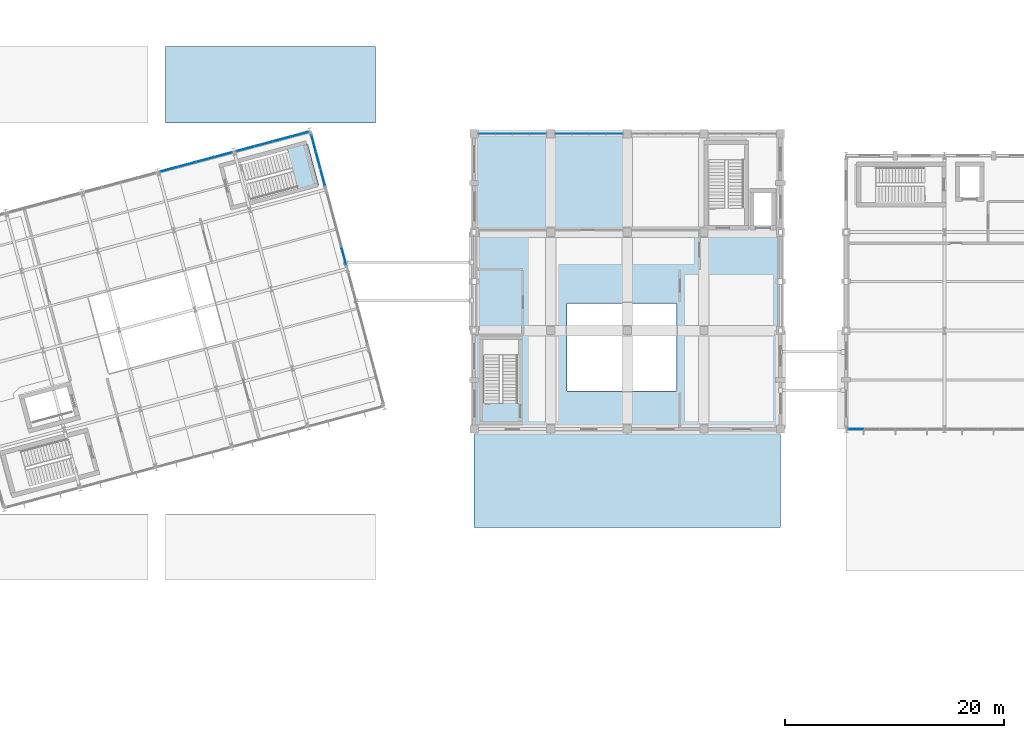
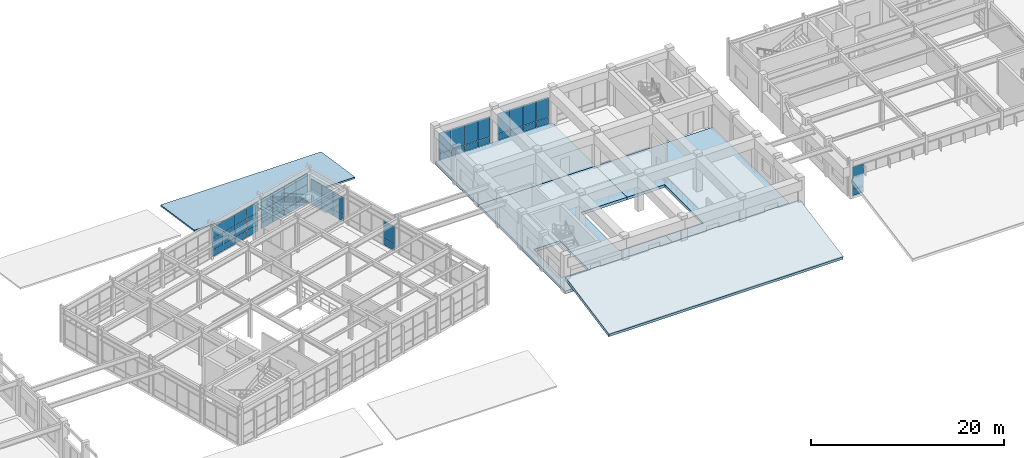
# One storey, part 76 of 104: 51 plates, 6 slabs, 8 elements without a shape of their own.
"""IFC4 building model written with IfcOpenShell, lengths in metres."""

from ifc_helpers import new_model, si_unit, direction, frame, origin, origin_2d, place, context, subcontext, project, spatial, polyline, rectangle, outline, extrude, material, layer, layer_set, type_object, element, aggregate, save


model = new_model("IFC4")

# Units and contexts
model_context = context("Model", 3, precision=1e-05, world=origin(), true_north=direction((0.0, 1.0)))
body_context = subcontext(model_context, "Body", "Model", "MODEL_VIEW")
ifc_project = project(units=[si_unit("LENGTHUNIT", "METRE"), si_unit("AREAUNIT", "SQUARE_METRE"), si_unit("VOLUMEUNIT", "CUBIC_METRE"), si_unit("PLANEANGLEUNIT", "RADIAN"), si_unit("MASSUNIT", "GRAM", prefix="KILO")], contexts=[model_context])

# Site, building, storey
site_placement = place(None, origin())
site = spatial("IfcSite", under=ifc_project, at=site_placement, CompositionType="ELEMENT")
building_placement = place(site_placement, origin())
building = spatial("IfcBuilding", under=site, at=building_placement, Name="Ventoquebrada Cableway Terminal", CompositionType="ELEMENT")
storey_placement = place(building_placement, frame((0.0, 0.0, 4.800048828125)))
storey = spatial("IfcBuildingStorey", under=building, at=storey_placement, Name="L01", CompositionType="ELEMENT", Elevation=4.800048828125)

# Curtain wall, plates
ifc_material_1 = material(Name="Anodized thermally-broken aluminium", Category="aluminium")
ifc_layer_1 = layer(ifc_material_1, 0.159912109375)
ifc_layer_set_1 = layer_set([ifc_layer_1], Name="Anodized thermally-broken aluminium")
curtain_wall_type_1 = type_object("IfcCurtainWallType", Name="CW-T27", PredefinedType="USERDEFINED", material=ifc_layer_set_1)
curtain_wall_1_placement = place(storey_placement, origin())
curtain_wall_1 = element("IfcCurtainWall", 1, at=curtain_wall_1_placement, inside=storey, type_object=curtain_wall_type_1, Name="Unitised glazed curtain wall CW-063", ObjectType="UNITISED CURTAIN WALL", PredefinedType="USERDEFINED")
ifc_material_2 = material(Name="Double low-e laminated safety glazing", Category="glass")
ifc_layer_2 = layer(ifc_material_2, 0.031982421875)
ifc_layer_set_2 = layer_set([ifc_layer_2], Name="Double low-e laminated safety glazing")
plate_type_1 = type_object("IfcPlateType", Name="CWP-GL1", PredefinedType="CURTAIN_PANEL", material=ifc_layer_set_2)
plate_1_placement = place(storey_placement, frame((99.280029296875, 104.0, 0.87451171875), z_axis=(0.0, 0.0, 1.0), x_axis=(-1.0, 0.0, 0.0)))
plate_1 = element("IfcPlate", 2, at=plate_1_placement, type_object=plate_type_1, Name="Vision glazing panel PN-0636", PredefinedType="CURTAIN_PANEL", context=body_context, shape_type="SweptSolid", body=[
    extrude(rectangle(XDim=1.510986328125, YDim=0.031982421875, at=origin_2d()), origin(), (0.0, 0.0, 1.0), 2.56103515625),
])
plate_2_placement = place(storey_placement, frame((96.177001953125, 104.0, 0.87451171875), z_axis=(0.0, 0.0, 1.0), x_axis=(-1.0, 0.0, 0.0)))
plate_2 = element("IfcPlate", 3, at=plate_2_placement, type_object=plate_type_1, Name="Vision glazing panel PN-0640", PredefinedType="CURTAIN_PANEL", context=body_context, shape_type="SweptSolid", body=[
    extrude(rectangle(XDim=1.47607421875, YDim=0.031982421875, at=origin_2d()), origin(), (0.0, 0.0, 1.0), 2.56103515625),
])

curtain_wall_2_placement = place(storey_placement, origin())
curtain_wall_2 = element("IfcCurtainWall", 4, at=curtain_wall_2_placement, inside=storey, type_object=curtain_wall_type_1, Name="Unitised glazed curtain wall CW-064", ObjectType="UNITISED CURTAIN WALL", PredefinedType="USERDEFINED")
plate_3_placement = place(storey_placement, frame((106.280029296875, 104.0, 0.87451171875), z_axis=(0.0, 0.0, 1.0), x_axis=(-1.0, 0.0, 0.0)))
plate_3 = element("IfcPlate", 5, at=plate_3_placement, type_object=plate_type_1, Name="Vision glazing panel PN-0644", PredefinedType="CURTAIN_PANEL", context=body_context, shape_type="SweptSolid", body=[
    extrude(rectangle(XDim=1.510986328125, YDim=0.031982421875, at=origin_2d()), origin(), (0.0, 0.0, 1.0), 2.56103515625),
])
plate_4_placement = place(storey_placement, frame((103.177001953125, 104.0, 0.87451171875), z_axis=(0.0, 0.0, 1.0), x_axis=(-1.0, 0.0, 0.0)))
plate_4 = element("IfcPlate", 6, at=plate_4_placement, type_object=plate_type_1, Name="Vision glazing panel PN-0648", PredefinedType="CURTAIN_PANEL", context=body_context, shape_type="SweptSolid", body=[
    extrude(rectangle(XDim=1.47607421875, YDim=0.031982421875, at=origin_2d()), origin(), (0.0, 0.0, 1.0), 2.56103515625),
])

# Curtain wall, plate
ifc_layer_3 = layer(ifc_material_1, 0.159912109375)
ifc_layer_set_3 = layer_set([ifc_layer_3], Name="Anodized thermally-broken aluminium")
curtain_wall_type_2 = type_object("IfcCurtainWallType", Name="CW-T30", PredefinedType="USERDEFINED", material=ifc_layer_set_3)
curtain_wall_3_placement = place(storey_placement, origin())
curtain_wall_3 = element("IfcCurtainWall", 7, at=curtain_wall_3_placement, inside=storey, type_object=curtain_wall_type_2, Name="Unitised glazed curtain wall CW-073", ObjectType="UNITISED CURTAIN WALL", PredefinedType="USERDEFINED")
plate_5_placement = place(storey_placement, frame((129.908935546875, 77.0, 2.3232421875), z_axis=(0.0, 0.0, 1.0), x_axis=(1.0, 0.0, 0.0)))
plate_5 = element("IfcPlate", 8, at=plate_5_placement, type_object=plate_type_1, Name="Vision glazing panel PN-0711", PredefinedType="CURTAIN_PANEL", context=body_context, shape_type="SweptSolid", body=[
    extrude(rectangle(XDim=1.360107421875, YDim=0.031982421875, at=origin_2d()), origin(), (0.0, 0.0, 1.0), 1.324951171875),
])

# Curtain wall, plates
ifc_layer_4 = layer(ifc_material_1, 0.159912109375)
ifc_layer_set_4 = layer_set([ifc_layer_4], Name="Anodized thermally-broken aluminium")
curtain_wall_type_3 = type_object("IfcCurtainWallType", Name="CW-T37", PredefinedType="USERDEFINED", material=ifc_layer_set_4)
curtain_wall_4_placement = place(storey_placement, origin())
curtain_wall_4 = element("IfcCurtainWall", 9, at=curtain_wall_4_placement, inside=storey, type_object=curtain_wall_type_3, Name="Unitised glazed curtain wall CW-091", ObjectType="UNITISED CURTAIN WALL", PredefinedType="USERDEFINED")
plate_6_placement = place(storey_placement, frame((72.05908203125, 102.08203125, 2.369384765625), z_axis=(0.0, 0.0, 1.0), x_axis=(-0.965961954829, -0.258684173892, 0.0)))
plate_6 = element("IfcPlate", 10, at=plate_6_placement, type_object=plate_type_1, Name="Vision glazing panel PN-0969", PredefinedType="CURTAIN_PANEL", context=body_context, shape_type="SweptSolid", body=[
    extrude(rectangle(XDim=1.631103515625, YDim=0.031982421875, at=origin_2d()), origin(), (0.0, 0.0, 1.0), 1.35302734375),
])
plate_7_placement = place(storey_placement, frame((70.41796875, 101.64208984375, 0.8740234375), z_axis=(0.0, 0.0, 1.0), x_axis=(-0.965961954829, -0.258684173892, 0.0)))
plate_7 = element("IfcPlate", 11, at=plate_7_placement, type_object=plate_type_1, Name="Vision glazing panel PN-0971", PredefinedType="CURTAIN_PANEL", context=body_context, shape_type="SweptSolid", body=[
    extrude(rectangle(XDim=1.666015625, YDim=0.031982421875, at=origin_2d()), origin(), (0.0, 0.0, 1.0), 1.446044921875),
])
plate_8_placement = place(storey_placement, frame((68.760986328125, 101.197998046875, 2.369384765625), z_axis=(0.0, 0.0, 1.0), x_axis=(-0.965961954829, -0.258684173892, 0.0)))
plate_8 = element("IfcPlate", 12, at=plate_8_placement, type_object=plate_type_1, Name="Vision glazing panel PN-0975", PredefinedType="CURTAIN_PANEL", context=body_context, shape_type="SweptSolid", body=[
    extrude(rectangle(XDim=1.666015625, YDim=0.031982421875, at=origin_2d()), origin(), (0.0, 0.0, 1.0), 1.35302734375),
])
plate_9_placement = place(storey_placement, frame((67.12109375, 100.760009765625, 0.8740234375), z_axis=(0.0, 0.0, 1.0), x_axis=(-0.965961954829, -0.258684173892, 0.0)))
plate_9 = element("IfcPlate", 13, at=plate_9_placement, type_object=plate_type_1, Name="Vision glazing panel PN-0977", PredefinedType="CURTAIN_PANEL", context=body_context, shape_type="SweptSolid", body=[
    extrude(rectangle(XDim=1.631103515625, YDim=0.031982421875, at=origin_2d()), origin(), (0.0, 0.0, 1.0), 1.446044921875),
])

ifc_layer_5 = layer(ifc_material_1, 0.159912109375)
ifc_layer_set_5 = layer_set([ifc_layer_5], Name="Anodized thermally-broken aluminium")
curtain_wall_type_4 = type_object("IfcCurtainWallType", Name="CW-T36", PredefinedType="USERDEFINED", material=ifc_layer_set_5)
curtain_wall_5_placement = place(storey_placement, origin())
curtain_wall_5 = element("IfcCurtainWall", 14, at=curtain_wall_5_placement, inside=storey, type_object=curtain_wall_type_4, Name="Unitised glazed curtain wall CW-092", ObjectType="UNITISED CURTAIN WALL", PredefinedType="USERDEFINED")
plate_10_placement = place(storey_placement, frame((79.012939453125, 103.946044921875, 2.369384765625), z_axis=(0.0, 0.0, 1.0), x_axis=(-0.96593486019, -0.258785327773, 0.0)))
plate_10 = element("IfcPlate", 15, at=plate_10_placement, type_object=plate_type_1, Name="Vision glazing panel PN-0981", PredefinedType="CURTAIN_PANEL", context=body_context, shape_type="SweptSolid", body=[
    extrude(rectangle(XDim=1.632080078125, YDim=0.031982421875, at=origin_2d()), origin(), (0.0, 0.0, 1.0), 1.35302734375),
])
plate_11_placement = place(storey_placement, frame((77.373046875, 103.506103515625, 0.8740234375), z_axis=(0.0, 0.0, 1.0), x_axis=(-0.96593486019, -0.258785327773, 0.0)))
plate_11 = element("IfcPlate", 16, at=plate_11_placement, type_object=plate_type_1, Name="Vision glazing panel PN-0983", PredefinedType="CURTAIN_PANEL", context=body_context, shape_type="SweptSolid", body=[
    extrude(rectangle(XDim=1.6669921875, YDim=0.031982421875, at=origin_2d()), origin(), (0.0, 0.0, 1.0), 1.446044921875),
])
plate_12_placement = place(storey_placement, frame((75.716064453125, 103.06201171875, 2.369384765625), z_axis=(0.0, 0.0, 1.0), x_axis=(-0.96593486019, -0.258785327773, 0.0)))
plate_12 = element("IfcPlate", 17, at=plate_12_placement, type_object=plate_type_1, Name="Vision glazing panel PN-0987", PredefinedType="CURTAIN_PANEL", context=body_context, shape_type="SweptSolid", body=[
    extrude(rectangle(XDim=1.6669921875, YDim=0.031982421875, at=origin_2d()), origin(), (0.0, 0.0, 1.0), 1.35302734375),
])
plate_13_placement = place(storey_placement, frame((74.075927734375, 102.623046875, 0.8740234375), z_axis=(0.0, 0.0, 1.0), x_axis=(-0.96593486019, -0.258785327773, 0.0)))
plate_13 = element("IfcPlate", 18, at=plate_13_placement, type_object=plate_type_1, Name="Vision glazing panel PN-0989", PredefinedType="CURTAIN_PANEL", context=body_context, shape_type="SweptSolid", body=[
    extrude(rectangle(XDim=1.632080078125, YDim=0.031982421875, at=origin_2d()), origin(), (0.0, 0.0, 1.0), 1.446044921875),
])

# Curtain wall, plate
ifc_layer_6 = layer(ifc_material_1, 0.159912109375)
ifc_layer_set_6 = layer_set([ifc_layer_6], Name="Anodized thermally-broken aluminium")
curtain_wall_type_5 = type_object("IfcCurtainWallType", Name="CW-T38", PredefinedType="USERDEFINED", material=ifc_layer_set_6)
curtain_wall_6_placement = place(storey_placement, origin())
curtain_wall_6 = element("IfcCurtainWall", 19, at=curtain_wall_6_placement, inside=storey, type_object=curtain_wall_type_5, Name="Unitised glazed curtain wall CW-100", ObjectType="UNITISED CURTAIN WALL", PredefinedType="USERDEFINED")
plate_14_placement = place(storey_placement, frame((80.73388671875, 101.55908203125, 0.8740234375), z_axis=(0.0, 0.0, 1.0), x_axis=(-0.258785327773, 0.96593486019, 0.0)))
plate_14 = element("IfcPlate", 20, at=plate_14_placement, type_object=plate_type_1, Name="Vision glazing panel PN-1044", PredefinedType="CURTAIN_PANEL", context=body_context, shape_type="SweptSolid", body=[
    extrude(rectangle(XDim=1.573974609375, YDim=0.031982421875, at=origin_2d()), origin(), (0.0, 0.0, 1.0), 2.22607421875),
])

# Plate
ifc_layer_7 = layer(ifc_material_2, 0.0380859375)
ifc_layer_set_7 = layer_set([ifc_layer_7], Name="Double low-e laminated safety glazing")
plate_type_2 = type_object("IfcPlateType", Name="CWP-GL2", PredefinedType="CURTAIN_PANEL", material=ifc_layer_set_7)
plate_15_placement = place(storey_placement, frame((100.822998046875, 104.0, 0.87451171875), z_axis=(0.0, 0.0, 1.0), x_axis=(-1.0, 0.0, 0.0)))
plate_15 = element("IfcPlate", 21, at=plate_15_placement, type_object=plate_type_2, Name="Vision glazing panel PN-0634", PredefinedType="CURTAIN_PANEL", context=body_context, shape_type="SweptSolid", body=[
    extrude(rectangle(XDim=1.47607421875, YDim=0.0380859375, at=origin_2d()), origin(), (0.0, 0.0, 1.0), 2.56103515625),
])

plate_16_placement = place(storey_placement, frame((97.719970703125, 104.0, 0.87451171875), z_axis=(0.0, 0.0, 1.0), x_axis=(-1.0, 0.0, 0.0)))
plate_16 = element("IfcPlate", 22, at=plate_16_placement, type_object=plate_type_2, Name="Vision glazing panel PN-0638", PredefinedType="CURTAIN_PANEL", context=body_context, shape_type="SweptSolid", body=[
    extrude(rectangle(XDim=1.510986328125, YDim=0.0380859375, at=origin_2d()), origin(), (0.0, 0.0, 1.0), 2.56103515625),
])

plate_17_placement = place(storey_placement, frame((107.822998046875, 104.0, 0.87451171875), z_axis=(0.0, 0.0, 1.0), x_axis=(-1.0, 0.0, 0.0)))
plate_17 = element("IfcPlate", 23, at=plate_17_placement, type_object=plate_type_2, Name="Vision glazing panel PN-0642", PredefinedType="CURTAIN_PANEL", context=body_context, shape_type="SweptSolid", body=[
    extrude(rectangle(XDim=1.47607421875, YDim=0.0380859375, at=origin_2d()), origin(), (0.0, 0.0, 1.0), 2.56103515625),
])

plate_18_placement = place(storey_placement, frame((104.719970703125, 104.0, 0.87451171875), z_axis=(0.0, 0.0, 1.0), x_axis=(-1.0, 0.0, 0.0)))
plate_18 = element("IfcPlate", 24, at=plate_18_placement, type_object=plate_type_2, Name="Vision glazing panel PN-0646", PredefinedType="CURTAIN_PANEL", context=body_context, shape_type="SweptSolid", body=[
    extrude(rectangle(XDim=1.510986328125, YDim=0.0380859375, at=origin_2d()), origin(), (0.0, 0.0, 1.0), 2.56103515625),
])

plate_19_placement = place(storey_placement, frame((129.908935546875, 77.0, 0.875), z_axis=(0.0, 0.0, 1.0), x_axis=(1.0, 0.0, 0.0)))
plate_19 = element("IfcPlate", 25, at=plate_19_placement, type_object=plate_type_2, Name="Vision glazing panel PN-0710", PredefinedType="CURTAIN_PANEL", context=body_context, shape_type="SweptSolid", body=[
    extrude(rectangle(XDim=1.360107421875, YDim=0.0380859375, at=origin_2d()), origin(), (0.0, 0.0, 1.0), 1.39990234375),
])

plate_20_placement = place(storey_placement, frame((72.05908203125, 102.08203125, 0.8740234375), z_axis=(0.0, 0.0, 1.0), x_axis=(-0.965961954829, -0.258684173892, 0.0)))
plate_20 = element("IfcPlate", 26, at=plate_20_placement, type_object=plate_type_2, Name="Vision glazing panel PN-0968", PredefinedType="CURTAIN_PANEL", context=body_context, shape_type="SweptSolid", body=[
    extrude(rectangle(XDim=1.631103515625, YDim=0.0380859375, at=origin_2d()), origin(), (0.0, 0.0, 1.0), 1.446044921875),
])

plate_21_placement = place(storey_placement, frame((70.41796875, 101.64208984375, 2.369384765625), z_axis=(0.0, 0.0, 1.0), x_axis=(-0.965961954829, -0.258684173892, 0.0)))
plate_21 = element("IfcPlate", 27, at=plate_21_placement, type_object=plate_type_2, Name="Vision glazing panel PN-0972", PredefinedType="CURTAIN_PANEL", context=body_context, shape_type="SweptSolid", body=[
    extrude(rectangle(XDim=1.666015625, YDim=0.0380859375, at=origin_2d()), origin(), (0.0, 0.0, 1.0), 1.35302734375),
])

plate_22_placement = place(storey_placement, frame((68.760986328125, 101.197998046875, 0.8740234375), z_axis=(0.0, 0.0, 1.0), x_axis=(-0.965961954829, -0.258684173892, 0.0)))
plate_22 = element("IfcPlate", 28, at=plate_22_placement, type_object=plate_type_2, Name="Vision glazing panel PN-0974", PredefinedType="CURTAIN_PANEL", context=body_context, shape_type="SweptSolid", body=[
    extrude(rectangle(XDim=1.666015625, YDim=0.0380859375, at=origin_2d()), origin(), (0.0, 0.0, 1.0), 1.446044921875),
])

plate_23_placement = place(storey_placement, frame((67.12109375, 100.760009765625, 2.369384765625), z_axis=(0.0, 0.0, 1.0), x_axis=(-0.965961954829, -0.258684173892, 0.0)))
plate_23 = element("IfcPlate", 29, at=plate_23_placement, type_object=plate_type_2, Name="Vision glazing panel PN-0978", PredefinedType="CURTAIN_PANEL", context=body_context, shape_type="SweptSolid", body=[
    extrude(rectangle(XDim=1.631103515625, YDim=0.0380859375, at=origin_2d()), origin(), (0.0, 0.0, 1.0), 1.35302734375),
])

plate_24_placement = place(storey_placement, frame((79.012939453125, 103.946044921875, 0.8740234375), z_axis=(0.0, 0.0, 1.0), x_axis=(-0.96593486019, -0.258785327773, 0.0)))
plate_24 = element("IfcPlate", 30, at=plate_24_placement, type_object=plate_type_2, Name="Vision glazing panel PN-0980", PredefinedType="CURTAIN_PANEL", context=body_context, shape_type="SweptSolid", body=[
    extrude(rectangle(XDim=1.632080078125, YDim=0.0380859375, at=origin_2d()), origin(), (0.0, 0.0, 1.0), 1.446044921875),
])

plate_25_placement = place(storey_placement, frame((77.373046875, 103.506103515625, 2.369384765625), z_axis=(0.0, 0.0, 1.0), x_axis=(-0.96593486019, -0.258785327773, 0.0)))
plate_25 = element("IfcPlate", 31, at=plate_25_placement, type_object=plate_type_2, Name="Vision glazing panel PN-0984", PredefinedType="CURTAIN_PANEL", context=body_context, shape_type="SweptSolid", body=[
    extrude(rectangle(XDim=1.6669921875, YDim=0.0380859375, at=origin_2d()), origin(), (0.0, 0.0, 1.0), 1.35302734375),
])

plate_26_placement = place(storey_placement, frame((75.716064453125, 103.06201171875, 0.8740234375), z_axis=(0.0, 0.0, 1.0), x_axis=(-0.96593486019, -0.258785327773, 0.0)))
plate_26 = element("IfcPlate", 32, at=plate_26_placement, type_object=plate_type_2, Name="Vision glazing panel PN-0986", PredefinedType="CURTAIN_PANEL", context=body_context, shape_type="SweptSolid", body=[
    extrude(rectangle(XDim=1.6669921875, YDim=0.0380859375, at=origin_2d()), origin(), (0.0, 0.0, 1.0), 1.446044921875),
])

plate_27_placement = place(storey_placement, frame((74.075927734375, 102.623046875, 2.369384765625), z_axis=(0.0, 0.0, 1.0), x_axis=(-0.96593486019, -0.258785327773, 0.0)))
plate_27 = element("IfcPlate", 33, at=plate_27_placement, type_object=plate_type_2, Name="Vision glazing panel PN-0990", PredefinedType="CURTAIN_PANEL", context=body_context, shape_type="SweptSolid", body=[
    extrude(rectangle(XDim=1.632080078125, YDim=0.0380859375, at=origin_2d()), origin(), (0.0, 0.0, 1.0), 1.35302734375),
])

# Curtain wall, plate
ifc_layer_8 = layer(ifc_material_1, 0.159912109375)
ifc_layer_set_8 = layer_set([ifc_layer_8], Name="Anodized thermally-broken aluminium")
curtain_wall_type_6 = type_object("IfcCurtainWallType", Name="CW-T39", PredefinedType="USERDEFINED", material=ifc_layer_set_8)
curtain_wall_7_placement = place(storey_placement, origin())
curtain_wall_7 = element("IfcCurtainWall", 34, at=curtain_wall_7_placement, inside=storey, type_object=curtain_wall_type_6, Name="Unitised glazed curtain wall CW-099", ObjectType="UNITISED CURTAIN WALL", PredefinedType="USERDEFINED")
plate_28_placement = place(storey_placement, frame((83.077880859375, 92.81005859375, 0.8740234375), z_axis=(0.0, 0.0, 1.0), x_axis=(-0.258734751187, 0.965948408834, 0.0)))
plate_28 = element("IfcPlate", 35, at=plate_28_placement, type_object=plate_type_2, Name="Vision glazing panel PN-1034", PredefinedType="CURTAIN_PANEL", context=body_context, shape_type="SweptSolid", body=[
    extrude(rectangle(XDim=1.633056640625, YDim=0.0380859375, at=origin_2d()), origin(), (0.0, 0.0, 1.0), 2.22607421875),
])

# Plate
plate_29_placement = place(storey_placement, frame((81.14892578125, 100.008056640625, 0.8740234375), z_axis=(0.0, 0.0, 1.0), x_axis=(-0.258785327773, 0.96593486019, 0.0)))
plate_29 = element("IfcPlate", 36, at=plate_29_placement, type_object=plate_type_2, Name="Vision glazing panel PN-1042", PredefinedType="CURTAIN_PANEL", context=body_context, shape_type="SweptSolid", body=[
    extrude(rectangle(XDim=1.5390625, YDim=0.0380859375, at=origin_2d()), origin(), (0.0, 0.0, 1.0), 2.22607421875),
])

plate_30_placement = place(storey_placement, frame((80.319091796875, 103.111083984375, 0.8740234375), z_axis=(0.0, 0.0, 1.0), x_axis=(-0.258785327773, 0.96593486019, 0.0)))
plate_30 = element("IfcPlate", 37, at=plate_30_placement, type_object=plate_type_2, Name="Vision glazing panel PN-1046", PredefinedType="CURTAIN_PANEL", context=body_context, shape_type="SweptSolid", body=[
    extrude(rectangle(XDim=1.5390625, YDim=0.0380859375, at=origin_2d()), origin(), (0.0, 0.0, 1.0), 2.22607421875),
])

ifc_material_3 = material(Name="Insulated aluminium spandrel cassette", Category="aluminium")
ifc_layer_9 = layer(ifc_material_3, 0.044921875)
ifc_layer_set_9 = layer_set([ifc_layer_9], Name="Insulated aluminium spandrel cassette")
plate_type_3 = type_object("IfcPlateType", Name="CWP-SP1", PredefinedType="CURTAIN_PANEL", material=ifc_layer_set_9)
plate_31_placement = place(storey_placement, frame((100.822998046875, 104.0, 0.058837890625), z_axis=(0.0, 0.0, 1.0), x_axis=(-1.0, 0.0, 0.0)))
plate_31 = element("IfcPlate", 38, at=plate_31_placement, type_object=plate_type_3, Name="Insulated spandrel panel PN-0633", PredefinedType="CURTAIN_PANEL", context=body_context, shape_type="SweptSolid", body=[
    extrude(rectangle(XDim=1.47607421875, YDim=0.044921875, at=origin_2d()), origin(), (0.0, 0.0, 1.0), 0.76611328125),
])

plate_32_placement = place(storey_placement, frame((99.280029296875, 104.0, 0.058837890625), z_axis=(0.0, 0.0, 1.0), x_axis=(-1.0, 0.0, 0.0)))
plate_32 = element("IfcPlate", 39, at=plate_32_placement, type_object=plate_type_3, Name="Insulated spandrel panel PN-0635", PredefinedType="CURTAIN_PANEL", context=body_context, shape_type="SweptSolid", body=[
    extrude(rectangle(XDim=1.510986328125, YDim=0.044921875, at=origin_2d()), origin(), (0.0, 0.0, 1.0), 0.76611328125),
])

plate_33_placement = place(storey_placement, frame((97.719970703125, 104.0, 0.058837890625), z_axis=(0.0, 0.0, 1.0), x_axis=(-1.0, 0.0, 0.0)))
plate_33 = element("IfcPlate", 40, at=plate_33_placement, type_object=plate_type_3, Name="Insulated spandrel panel PN-0637", PredefinedType="CURTAIN_PANEL", context=body_context, shape_type="SweptSolid", body=[
    extrude(rectangle(XDim=1.510986328125, YDim=0.044921875, at=origin_2d()), origin(), (0.0, 0.0, 1.0), 0.76611328125),
])

plate_34_placement = place(storey_placement, frame((96.177001953125, 104.0, 0.058837890625), z_axis=(0.0, 0.0, 1.0), x_axis=(-1.0, 0.0, 0.0)))
plate_34 = element("IfcPlate", 41, at=plate_34_placement, type_object=plate_type_3, Name="Insulated spandrel panel PN-0639", PredefinedType="CURTAIN_PANEL", context=body_context, shape_type="SweptSolid", body=[
    extrude(rectangle(XDim=1.47607421875, YDim=0.044921875, at=origin_2d()), origin(), (0.0, 0.0, 1.0), 0.76611328125),
])

aggregate(curtain_wall_1, [plate_31, plate_15, plate_32, plate_1, plate_33, plate_16, plate_34, plate_2])

plate_35_placement = place(storey_placement, frame((107.822998046875, 104.0, 0.058837890625), z_axis=(0.0, 0.0, 1.0), x_axis=(-1.0, 0.0, 0.0)))
plate_35 = element("IfcPlate", 42, at=plate_35_placement, type_object=plate_type_3, Name="Insulated spandrel panel PN-0641", PredefinedType="CURTAIN_PANEL", context=body_context, shape_type="SweptSolid", body=[
    extrude(rectangle(XDim=1.47607421875, YDim=0.044921875, at=origin_2d()), origin(), (0.0, 0.0, 1.0), 0.76611328125),
])

plate_36_placement = place(storey_placement, frame((106.280029296875, 104.0, 0.058837890625), z_axis=(0.0, 0.0, 1.0), x_axis=(-1.0, 0.0, 0.0)))
plate_36 = element("IfcPlate", 43, at=plate_36_placement, type_object=plate_type_3, Name="Insulated spandrel panel PN-0643", PredefinedType="CURTAIN_PANEL", context=body_context, shape_type="SweptSolid", body=[
    extrude(rectangle(XDim=1.510986328125, YDim=0.044921875, at=origin_2d()), origin(), (0.0, 0.0, 1.0), 0.76611328125),
])

plate_37_placement = place(storey_placement, frame((104.719970703125, 104.0, 0.058837890625), z_axis=(0.0, 0.0, 1.0), x_axis=(-1.0, 0.0, 0.0)))
plate_37 = element("IfcPlate", 44, at=plate_37_placement, type_object=plate_type_3, Name="Insulated spandrel panel PN-0645", PredefinedType="CURTAIN_PANEL", context=body_context, shape_type="SweptSolid", body=[
    extrude(rectangle(XDim=1.510986328125, YDim=0.044921875, at=origin_2d()), origin(), (0.0, 0.0, 1.0), 0.76611328125),
])

plate_38_placement = place(storey_placement, frame((103.177001953125, 104.0, 0.058837890625), z_axis=(0.0, 0.0, 1.0), x_axis=(-1.0, 0.0, 0.0)))
plate_38 = element("IfcPlate", 45, at=plate_38_placement, type_object=plate_type_3, Name="Insulated spandrel panel PN-0647", PredefinedType="CURTAIN_PANEL", context=body_context, shape_type="SweptSolid", body=[
    extrude(rectangle(XDim=1.47607421875, YDim=0.044921875, at=origin_2d()), origin(), (0.0, 0.0, 1.0), 0.76611328125),
])

aggregate(curtain_wall_2, [plate_35, plate_17, plate_36, plate_3, plate_37, plate_18, plate_38, plate_4])

plate_39_placement = place(storey_placement, frame((129.908935546875, 77.0, 0.058837890625), z_axis=(0.0, 0.0, 1.0), x_axis=(1.0, 0.0, 0.0)))
plate_39 = element("IfcPlate", 46, at=plate_39_placement, type_object=plate_type_3, Name="Insulated spandrel panel PN-0709", PredefinedType="CURTAIN_PANEL", context=body_context, shape_type="SweptSolid", body=[
    extrude(rectangle(XDim=1.360107421875, YDim=0.044921875, at=origin_2d()), origin(), (0.0, 0.0, 1.0), 0.76611328125),
])

aggregate(curtain_wall_3, [plate_39, plate_19, plate_5])

plate_40_placement = place(storey_placement, frame((72.05908203125, 102.08203125, 0.058837890625), z_axis=(0.0, 0.0, 1.0), x_axis=(-0.965961954829, -0.258684173892, 0.0)))
plate_40 = element("IfcPlate", 47, at=plate_40_placement, type_object=plate_type_3, Name="Insulated spandrel panel PN-0967", PredefinedType="CURTAIN_PANEL", context=body_context, shape_type="SweptSolid", body=[
    extrude(rectangle(XDim=1.631103515625, YDim=0.044921875, at=origin_2d()), origin(), (0.0, 0.0, 1.0), 0.76611328125),
])

plate_41_placement = place(storey_placement, frame((70.41796875, 101.64208984375, 0.058837890625), z_axis=(0.0, 0.0, 1.0), x_axis=(-0.965961954829, -0.258684173892, 0.0)))
plate_41 = element("IfcPlate", 48, at=plate_41_placement, type_object=plate_type_3, Name="Insulated spandrel panel PN-0970", PredefinedType="CURTAIN_PANEL", context=body_context, shape_type="SweptSolid", body=[
    extrude(rectangle(XDim=1.666015625, YDim=0.044921875, at=origin_2d()), origin(), (0.0, 0.0, 1.0), 0.76611328125),
])

plate_42_placement = place(storey_placement, frame((68.760986328125, 101.197998046875, 0.058837890625), z_axis=(0.0, 0.0, 1.0), x_axis=(-0.965961954829, -0.258684173892, 0.0)))
plate_42 = element("IfcPlate", 49, at=plate_42_placement, type_object=plate_type_3, Name="Insulated spandrel panel PN-0973", PredefinedType="CURTAIN_PANEL", context=body_context, shape_type="SweptSolid", body=[
    extrude(rectangle(XDim=1.666015625, YDim=0.044921875, at=origin_2d()), origin(), (0.0, 0.0, 1.0), 0.76611328125),
])

plate_43_placement = place(storey_placement, frame((67.12109375, 100.760009765625, 0.058837890625), z_axis=(0.0, 0.0, 1.0), x_axis=(-0.965961954829, -0.258684173892, 0.0)))
plate_43 = element("IfcPlate", 50, at=plate_43_placement, type_object=plate_type_3, Name="Insulated spandrel panel PN-0976", PredefinedType="CURTAIN_PANEL", context=body_context, shape_type="SweptSolid", body=[
    extrude(rectangle(XDim=1.631103515625, YDim=0.044921875, at=origin_2d()), origin(), (0.0, 0.0, 1.0), 0.76611328125),
])

aggregate(curtain_wall_4, [plate_40, plate_20, plate_6, plate_41, plate_7, plate_21, plate_42, plate_22, plate_8, plate_43, plate_9, plate_23])

plate_44_placement = place(storey_placement, frame((79.012939453125, 103.946044921875, 0.058837890625), z_axis=(0.0, 0.0, 1.0), x_axis=(-0.96593486019, -0.258785327773, 0.0)))
plate_44 = element("IfcPlate", 51, at=plate_44_placement, type_object=plate_type_3, Name="Insulated spandrel panel PN-0979", PredefinedType="CURTAIN_PANEL", context=body_context, shape_type="SweptSolid", body=[
    extrude(rectangle(XDim=1.632080078125, YDim=0.044921875, at=origin_2d()), origin(), (0.0, 0.0, 1.0), 0.76611328125),
])

plate_45_placement = place(storey_placement, frame((77.373046875, 103.506103515625, 0.058837890625), z_axis=(0.0, 0.0, 1.0), x_axis=(-0.96593486019, -0.258785327773, 0.0)))
plate_45 = element("IfcPlate", 52, at=plate_45_placement, type_object=plate_type_3, Name="Insulated spandrel panel PN-0982", PredefinedType="CURTAIN_PANEL", context=body_context, shape_type="SweptSolid", body=[
    extrude(rectangle(XDim=1.6669921875, YDim=0.044921875, at=origin_2d()), origin(), (0.0, 0.0, 1.0), 0.76611328125),
])

plate_46_placement = place(storey_placement, frame((75.716064453125, 103.06201171875, 0.058837890625), z_axis=(0.0, 0.0, 1.0), x_axis=(-0.96593486019, -0.258785327773, 0.0)))
plate_46 = element("IfcPlate", 53, at=plate_46_placement, type_object=plate_type_3, Name="Insulated spandrel panel PN-0985", PredefinedType="CURTAIN_PANEL", context=body_context, shape_type="SweptSolid", body=[
    extrude(rectangle(XDim=1.6669921875, YDim=0.044921875, at=origin_2d()), origin(), (0.0, 0.0, 1.0), 0.76611328125),
])

plate_47_placement = place(storey_placement, frame((74.075927734375, 102.623046875, 0.058837890625), z_axis=(0.0, 0.0, 1.0), x_axis=(-0.96593486019, -0.258785327773, 0.0)))
plate_47 = element("IfcPlate", 54, at=plate_47_placement, type_object=plate_type_3, Name="Insulated spandrel panel PN-0988", PredefinedType="CURTAIN_PANEL", context=body_context, shape_type="SweptSolid", body=[
    extrude(rectangle(XDim=1.632080078125, YDim=0.044921875, at=origin_2d()), origin(), (0.0, 0.0, 1.0), 0.76611328125),
])

aggregate(curtain_wall_5, [plate_44, plate_24, plate_10, plate_45, plate_11, plate_25, plate_46, plate_26, plate_12, plate_47, plate_13, plate_27])

plate_48_placement = place(storey_placement, frame((83.077880859375, 92.81005859375, 0.058837890625), z_axis=(0.0, 0.0, 1.0), x_axis=(-0.258734751187, 0.965948408834, 0.0)))
plate_48 = element("IfcPlate", 55, at=plate_48_placement, type_object=plate_type_3, Name="Insulated spandrel panel PN-1033", PredefinedType="CURTAIN_PANEL", context=body_context, shape_type="SweptSolid", body=[
    extrude(rectangle(XDim=1.633056640625, YDim=0.044921875, at=origin_2d()), origin(), (0.0, 0.0, 1.0), 0.76611328125),
])

aggregate(curtain_wall_7, [plate_48, plate_28])

plate_49_placement = place(storey_placement, frame((81.14892578125, 100.008056640625, 0.058837890625), z_axis=(0.0, 0.0, 1.0), x_axis=(-0.258785327773, 0.96593486019, 0.0)))
plate_49 = element("IfcPlate", 56, at=plate_49_placement, type_object=plate_type_3, Name="Insulated spandrel panel PN-1041", PredefinedType="CURTAIN_PANEL", context=body_context, shape_type="SweptSolid", body=[
    extrude(rectangle(XDim=1.5390625, YDim=0.044921875, at=origin_2d()), origin(), (0.0, 0.0, 1.0), 0.76611328125),
])

plate_50_placement = place(storey_placement, frame((80.73388671875, 101.55908203125, 0.058837890625), z_axis=(0.0, 0.0, 1.0), x_axis=(-0.258785327773, 0.96593486019, 0.0)))
plate_50 = element("IfcPlate", 57, at=plate_50_placement, type_object=plate_type_3, Name="Insulated spandrel panel PN-1043", PredefinedType="CURTAIN_PANEL", context=body_context, shape_type="SweptSolid", body=[
    extrude(rectangle(XDim=1.573974609375, YDim=0.044921875, at=origin_2d()), origin(), (0.0, 0.0, 1.0), 0.76611328125),
])

plate_51_placement = place(storey_placement, frame((80.319091796875, 103.111083984375, 0.058837890625), z_axis=(0.0, 0.0, 1.0), x_axis=(-0.258785327773, 0.96593486019, 0.0)))
plate_51 = element("IfcPlate", 58, at=plate_51_placement, type_object=plate_type_3, Name="Insulated spandrel panel PN-1045", PredefinedType="CURTAIN_PANEL", context=body_context, shape_type="SweptSolid", body=[
    extrude(rectangle(XDim=1.5390625, YDim=0.044921875, at=origin_2d()), origin(), (0.0, 0.0, 1.0), 0.76611328125),
])

aggregate(curtain_wall_6, [plate_49, plate_29, plate_50, plate_14, plate_51, plate_30])

# Slabs
ifc_material_4 = material(Name="Concrete C40/50", Category="concrete")
ifc_layer_10 = layer(ifc_material_4, 0.35009765625)
ifc_layer_set_10 = layer_set([ifc_layer_10], Name="Concrete C40/50")
slab_type_1 = type_object("IfcSlabType", Name="SL-FL2", PredefinedType="FLOOR", material=ifc_layer_set_10)
slab_1_placement = place(storey_placement, frame((0.0, 0.0, -0.35009765625)))
element("IfcSlab", 59, at=slab_1_placement, inside=storey, type_object=slab_type_1, Name="Reinforced concrete floor slab SL-039", PredefinedType="FLOOR", context=body_context, shape_type="SweptSolid", body=[
    extrude(outline(polyline([(95.0, 77.0), (109.0, 77.0), (109.0, 80.5), (103.5, 80.5), (103.5, 88.5), (109.0, 88.5), (109.0, 95.0), (95.0, 95.0), (95.0, 77.0)]), holes=[polyline([(99.050048828125, 85.14990234375), (99.050048828125, 79.340087890625), (95.89990234375, 79.340087890625), (95.89990234375, 85.14990234375), (99.050048828125, 85.14990234375)])]), origin(), (0.0, 0.0, 1.0), 0.35009765625),
])
slab_2_placement = place(storey_placement, frame((0.0, 0.0, -0.35009765625)))
element("IfcSlab", 60, at=slab_2_placement, inside=storey, type_object=slab_type_1, Name="Reinforced concrete floor slab SL-040", PredefinedType="FLOOR", context=body_context, shape_type="SweptSolid", body=[
    extrude(outline(polyline([(109.0, 95.0), (109.0, 104.0), (95.0, 104.0), (95.0, 95.0), (109.0, 95.0)])), origin(), (0.0, 0.0, 1.0), 0.35009765625),
])
slab_3_placement = place(storey_placement, frame((0.0, 0.0, -0.35009765625)))
element("IfcSlab", 61, at=slab_3_placement, inside=storey, type_object=slab_type_1, Name="Reinforced concrete floor slab SL-041", PredefinedType="FLOOR", context=body_context, shape_type="SweptSolid", body=[
    extrude(outline(polyline([(109.0, 88.5), (113.5, 88.5), (113.5, 80.5), (109.0, 80.5), (109.0, 77.0), (123.0, 77.0), (123.0, 95.0), (109.0, 95.0), (109.0, 88.5)])), origin(), (0.0, 0.0, 1.0), 0.35009765625),
])

# Stair, slab
stair_type = type_object("IfcStairType", Name="ST-T04", PredefinedType="HALF_TURN_STAIR", material=ifc_material_4)
stair_placement = place(storey_placement, origin())
stair = element("IfcStair", 62, at=stair_placement, inside=storey, type_object=stair_type, Name="Protected half-turn stair ST-34", PredefinedType="HALF_TURN_STAIR")
ifc_layer_11 = layer(ifc_material_4, 0.219970703125)
ifc_layer_set_11 = layer_set([ifc_layer_11], Name="Concrete C40/50")
slab_type_2 = type_object("IfcSlabType", Name="SL-LD1", PredefinedType="LANDING", material=ifc_layer_set_11)
slab_4_placement = place(storey_placement, frame((0.0, 0.0, 2.179931640625)))
slab_4 = element("IfcSlab", 63, at=slab_4_placement, type_object=slab_type_2, Name="Intermediate stair landing LDG-034", PredefinedType="LANDING", context=body_context, shape_type="SweptSolid", body=[
    extrude(outline(polyline([(78.9169921875, 98.8359375), (80.77197265625, 99.3330078125), (79.76708984375, 103.0810546875), (77.9130859375, 102.583984375), (78.9169921875, 98.8359375)])), origin(), (0.0, 0.0, 1.0), 0.219970703125),
])
aggregate(stair, [slab_4])

# Slabs
ifc_material_5 = material(Name="Concrete C45/55", Category="concrete")
ifc_layer_12 = layer(ifc_material_5, 0.3798828125)
ifc_layer_set_12 = layer_set([ifc_layer_12], Name="Concrete C45/55")
slab_type_3 = type_object("IfcSlabType", Name="SL-RF1", PredefinedType="ROOF", material=ifc_layer_set_12)
slab_5_placement = place(storey_placement, frame((95.0, 68.072509765625, -0.372802734375), z_axis=(0.0, -0.190767024252, 0.981635340877), x_axis=(1.0, 0.0, 0.0)))
element("IfcSlab", 64, at=slab_5_placement, inside=storey, type_object=slab_type_3, Name="Folded roof slab SL-109", PredefinedType="ROOF", context=body_context, shape_type="SweptSolid", body=[
    extrude(outline(polyline([(0.0, 0.0), (28.0, 0.0), (28.0, 9.168374064408821), (0.0, 9.168374064408821), (0.0, 0.0)])), origin(), (0.0, 0.0, 1.0), 0.3798828125),
])
ifc_layer_13 = layer(ifc_material_5, 0.260009765625)
ifc_layer_set_13 = layer_set([ifc_layer_13], Name="Concrete C45/55")
slab_type_4 = type_object("IfcSlabType", Name="SL-RF3", PredefinedType="ROOF", material=ifc_layer_set_13)
slab_6_placement = place(storey_placement, frame((66.800048828125, 104.971923828125, 0.398193359375), z_axis=(0.0, 0.147773675894, 0.989021203369), x_axis=(1.0, 0.0, 0.0)))
element("IfcSlab", 65, at=slab_6_placement, inside=storey, type_object=slab_type_4, Name="Civic plaza shelter canopy roof slab SL-124", PredefinedType="ROOF", context=body_context, shape_type="SweptSolid", body=[
    extrude(outline(polyline([(0.0, 0.0), (19.199951171875, 0.0), (19.199951171875, 7.077704680301726), (0.0, 7.077704680301726), (0.0, 0.0)])), origin(), (0.0, 0.0, 1.0), 0.18994140625),
])

save(model, "model.ifc")
